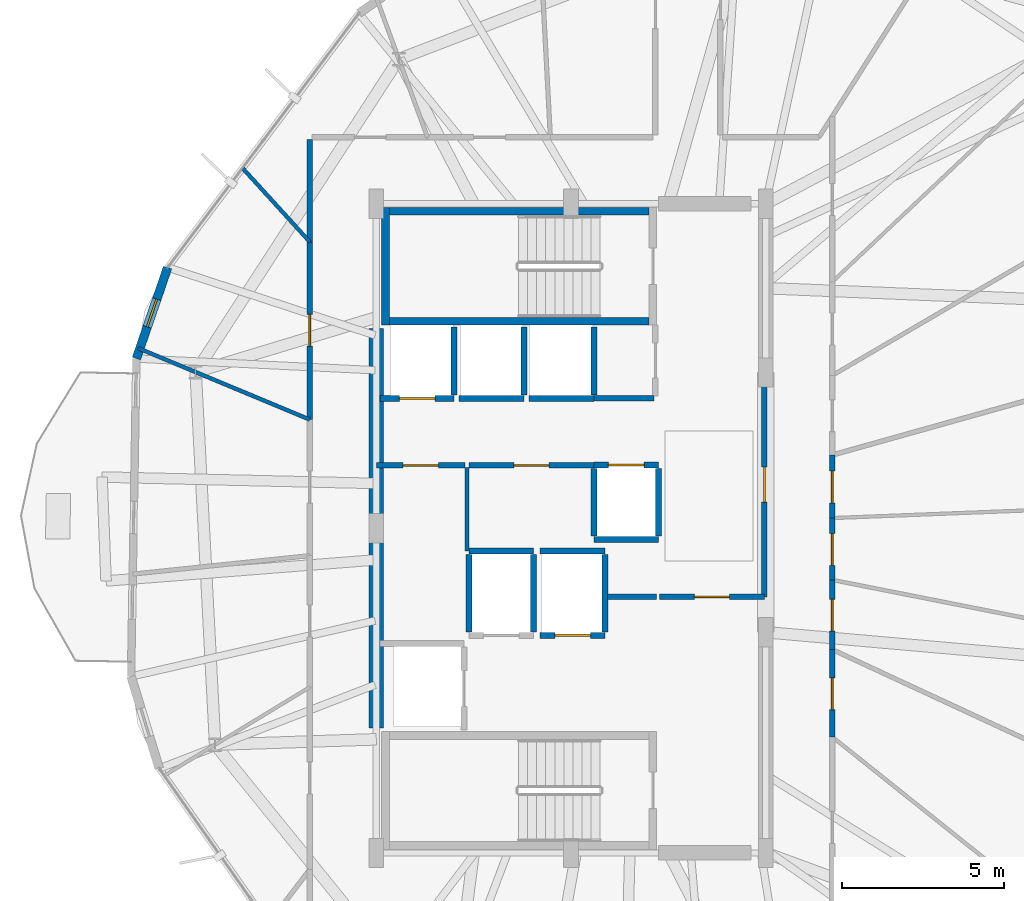
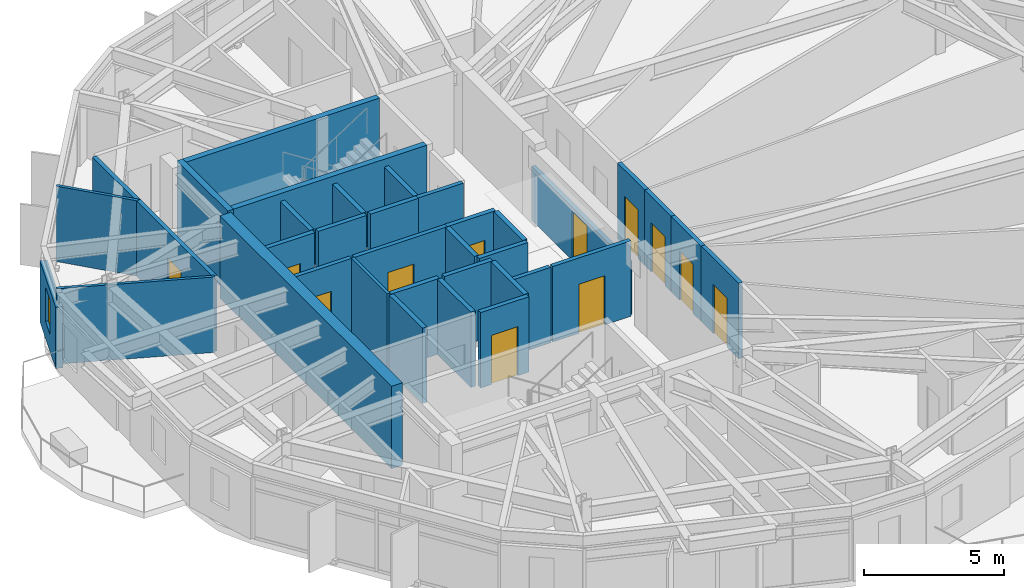
# One storey, part 24 of 29: 36 walls, 12 doors, 1 window, 13 openings.
"""IFC4 building model written with IfcOpenShell, lengths in metres."""

from ifc_helpers import new_model, si_unit, direction, frame, frame_2d, origin, place, context, subcontext, project, spatial, rectangle, extrude, material, layer, layer_set, type_object, element, fill, save


model = new_model("IFC4")

# Units and contexts
model_context = context("Model", 3, precision=1e-05, world=origin(), true_north=direction((0.0, 1.0)))
body_context = subcontext(model_context, "Body", "Model", "MODEL_VIEW")
ifc_project = project(units=[si_unit("LENGTHUNIT", "METRE"), si_unit("AREAUNIT", "SQUARE_METRE"), si_unit("VOLUMEUNIT", "CUBIC_METRE"), si_unit("PLANEANGLEUNIT", "RADIAN"), si_unit("MASSUNIT", "GRAM", prefix="KILO")], contexts=[model_context])

# Site, building, storey
site_placement = place(None, origin())
site = spatial("IfcSite", under=ifc_project, at=site_placement, CompositionType="ELEMENT")
building_placement = place(site_placement, origin())
building = spatial("IfcBuilding", under=site, at=building_placement, Name="Soratama Intermodal Tower", CompositionType="ELEMENT")
storey_placement = place(building_placement, frame((0.0, 0.0, 226.60009765625)))
storey = spatial("IfcBuildingStorey", under=building, at=storey_placement, Name="L57", CompositionType="ELEMENT", Elevation=226.60009765625)

# Wall, opening, window
ifc_material_1 = material(Name="Concrete f'c 42 MPa", Category="concrete")
ifc_layer_1 = layer(ifc_material_1, 0.27001953125)
ifc_layer_set_1 = layer_set([ifc_layer_1], Name="Concrete f'c 42 MPa")
wall_type_1 = type_object("IfcWallType", Name="EW-CRN-270", PredefinedType="SOLIDWALL", material=ifc_layer_set_1)
wall_1_placement = place(storey_placement, frame((26.171630859375, 33.036865234375, 0.0), z_axis=(0.0, 0.0, 1.0), x_axis=(-0.324904964625, -0.945746670077, 0.0)))
wall_1 = element("IfcWall", 1, at=wall_1_placement, inside=storey, type_object=wall_type_1, Name="L57 Corner Closure Wall 03", PredefinedType="SOLIDWALL", context=body_context, shape_type="SweptSolid", body=[
    extrude(rectangle(XDim=2.966552734375, YDim=0.27001953125, at=frame_2d((1.4833984375, 0.0))), origin(), (0.0, 0.0, 1.0), 2.678955078125),
])
opening_1_placement = place(wall_1_placement, frame((1.033203125, 0.0, 0.75)))
opening_1 = element("IfcOpeningElement", 2, at=opening_1_placement, cuts=wall_1, Name="Opening WN-6", PredefinedType="OPENING", context=body_context, shape_type="SweptSolid", body=[
    extrude(rectangle(XDim=0.89990234375, YDim=1.5, at=frame_2d((0.449951171875, 0.75))), frame((0.0, 0.14501953125, 0.0), z_axis=(0.0, -1.0, 0.0), x_axis=(1.0, 0.0, 0.0)), (0.0, 0.0, 1.0), 0.2900390625),
])
ifc_material_2 = material(Name="Double-glazed aluminium window", Category="aluminium")
window_type = type_object("IfcWindowType", Name="WN-FAC-900", PartitioningType="SINGLE_PANEL", PredefinedType="WINDOW", material=ifc_material_2)
window_placement = place(opening_1_placement, origin())
window = element("IfcWindow", 3, at=window_placement, inside=storey, type_object=window_type, Name="L57 Corner Window 03", OverallHeight=1.5, OverallWidth=0.89990234375, PartitioningType="SINGLE_PANEL", PredefinedType="WINDOW", context=body_context, shape_type="SweptSolid", body=[
    extrude(rectangle(XDim=0.89990234375, YDim=1.5, at=frame_2d((0.449951171875, 0.75))), frame((0.0, 0.030029296875, 0.0), z_axis=(0.0, -1.0, 0.0), x_axis=(1.0, 0.0, 0.0)), (0.0, 0.0, 1.0), 0.06005859375),
])
fill(opening_1, window)

# Wall, opening, door
ifc_material_3 = material(Name="Fire-rated gypsum stud partition", Category="concrete")
ifc_layer_2 = layer(ifc_material_3, 0.169921875)
ifc_layer_set_2 = layer_set([ifc_layer_2], Name="Fire-rated gypsum stud partition")
wall_type_2 = type_object("IfcWallType", Name="IW-PART-R170", PredefinedType="PARTITIONING", material=ifc_layer_set_2)
wall_2_placement = place(storey_placement, frame((44.56005859375, 29.800048828125, 0.0), z_axis=(0.0, 0.0, 1.0), x_axis=(0.0, -1.0, 0.0)))
wall_2 = element("IfcWall", 4, at=wall_2_placement, inside=storey, type_object=wall_type_2, Name="L57 Partition W-L57-TP013", PredefinedType="PARTITIONING", context=body_context, shape_type="SweptSolid", body=[
    extrude(rectangle(XDim=6.91015625, YDim=0.169921875, at=frame_2d((3.455078125, 0.0))), origin(), (0.0, 0.0, 1.0), 2.33984375),
])
opening_2_placement = place(wall_2_placement, frame((2.9150390625, 0.0, 0.0)))
opening_2 = element("IfcOpeningElement", 5, at=opening_2_placement, cuts=wall_2, Name="Opening ID-1", PredefinedType="OPENING", context=body_context, shape_type="SweptSolid", body=[
    extrude(rectangle(XDim=1.080078125, YDim=2.14990234375, at=frame_2d((0.5400390625, 1.074951171875))), frame((0.0, 0.094970703125, 0.0), z_axis=(0.0, -1.0, 0.0), x_axis=(1.0, 0.0, 0.0)), (0.0, 0.0, 1.0), 0.18994140625),
])
ifc_material_4 = material(Name="Solid hardwood acoustic door", Category="wood")
door_type_1 = type_object("IfcDoorType", Name="DR-LOB-FD60", OperationType="NOTDEFINED", PredefinedType="DOOR", material=ifc_material_4)
door_1_placement = place(opening_2_placement, origin())
door_1 = element("IfcDoor", 6, at=door_1_placement, inside=storey, type_object=door_type_1, Name="L57 Door D-L57-TP004", OperationType="SINGLE_SWING_LEFT", OverallHeight=2.14990234375, OverallWidth=1.080078125, PredefinedType="DOOR", context=body_context, shape_type="SweptSolid", body=[
    extrude(rectangle(XDim=1.080078125, YDim=2.14990234375, at=frame_2d((0.5400390625, 1.074951171875))), frame((0.0, 0.02490234375, 0.0), z_axis=(0.0, -1.0, 0.0), x_axis=(1.0, 0.0, 0.0)), (0.0, 0.0, 1.0), 0.050048828125),
])
fill(opening_2, door_1)

wall_3_placement = place(storey_placement, frame((30.550048828125, 28.35107421875, 0.0), z_axis=(0.0, 0.0, 1.0), x_axis=(0.0, 1.0, 0.0)))
wall_3 = element("IfcWall", 7, at=wall_3_placement, inside=storey, type_object=wall_type_2, Name="L57 Partition W-L57-TP020", PredefinedType="PARTITIONING", context=body_context, shape_type="SweptSolid", body=[
    extrude(rectangle(XDim=5.475830078125, YDim=0.169921875, at=frame_2d((2.73779296875, 0.0))), origin(), (0.0, 0.0, 1.0), 3.2998046875),
])
opening_3_placement = place(wall_3_placement, frame((2.262939453125, 0.0, 0.0)))
opening_3 = element("IfcOpeningElement", 8, at=opening_3_placement, cuts=wall_3, Name="Opening ID-5", PredefinedType="OPENING", context=body_context, shape_type="SweptSolid", body=[
    extrude(rectangle(XDim=0.97998046875, YDim=2.14990234375, at=frame_2d((0.489990234375, 1.074951171875))), frame((0.0, 0.094970703125, 0.0), z_axis=(0.0, -1.0, 0.0), x_axis=(1.0, 0.0, 0.0)), (0.0, 0.0, 1.0), 0.18994140625),
])
ifc_material_5 = material(Name="Solid hardwood acoustic door", Category="wood")
door_type_2 = type_object("IfcDoorType", Name="DR-OFF-980", OperationType="NOTDEFINED", PredefinedType="DOOR", material=ifc_material_5)
door_2_placement = place(opening_3_placement, origin())
door_2 = element("IfcDoor", 9, at=door_2_placement, inside=storey, type_object=door_type_2, Name="L57 Door D-L57-TP007", OperationType="SINGLE_SWING_RIGHT", OverallHeight=2.14990234375, OverallWidth=0.97998046875, PredefinedType="DOOR", context=body_context, shape_type="SweptSolid", body=[
    extrude(rectangle(XDim=0.97998046875, YDim=2.14990234375, at=frame_2d((0.489990234375, 1.074951171875))), frame((0.0, 0.02490234375, 0.0), z_axis=(0.0, -1.0, 0.0), x_axis=(1.0, 0.0, 0.0)), (0.0, 0.0, 1.0), 0.050048828125),
])
fill(opening_3, door_2)

wall_4_placement = place(storey_placement, frame((39.300048828125, 26.93994140625, 0.0), z_axis=(0.0, 0.0, 1.0), x_axis=(-1.0, 0.0, 0.0)))
wall_4 = element("IfcWall", 10, at=wall_4_placement, inside=storey, type_object=wall_type_2, Name="L57 Partition W-L57-TP028", PredefinedType="PARTITIONING", context=body_context, shape_type="SweptSolid", body=[
    extrude(rectangle(XDim=3.840087890625, YDim=0.169921875, at=frame_2d((1.919921875, 0.0))), origin(), (0.0, 0.0, 1.0), 3.2998046875),
])
opening_4_placement = place(wall_4_placement, frame((1.3798828125, 0.0, 0.0)))
opening_4 = element("IfcOpeningElement", 11, at=opening_4_placement, cuts=wall_4, Name="Opening ID-1", PredefinedType="OPENING", context=body_context, shape_type="SweptSolid", body=[
    extrude(rectangle(XDim=1.080078125, YDim=2.14990234375, at=frame_2d((0.5400390625, 1.074951171875))), frame((0.0, 0.094970703125, 0.0), z_axis=(0.0, -1.0, 0.0), x_axis=(1.0, 0.0, 0.0)), (0.0, 0.0, 1.0), 0.18994140625),
])
door_3_placement = place(opening_4_placement, origin())
door_3 = element("IfcDoor", 12, at=door_3_placement, inside=storey, type_object=door_type_1, Name="L57 Door D-L57-TP012", OperationType="SINGLE_SWING_LEFT", OverallHeight=2.14990234375, OverallWidth=1.080078125, PredefinedType="DOOR", context=body_context, shape_type="SweptSolid", body=[
    extrude(rectangle(XDim=1.080078125, YDim=2.14990234375, at=frame_2d((0.5400390625, 1.074951171875))), frame((0.0, 0.02490234375, 0.0), z_axis=(0.0, -1.0, 0.0), x_axis=(1.0, 0.0, 0.0)), (0.0, 0.0, 1.0), 0.050048828125),
])
fill(opening_4, door_3)

wall_5_placement = place(storey_placement, frame((41.320068359375, 22.889892578125, 0.0), z_axis=(0.0, 0.0, 1.0), x_axis=(1.0, 0.0, 0.0)))
wall_5 = element("IfcWall", 13, at=wall_5_placement, inside=storey, type_object=wall_type_2, Name="L57 Partition W-L57-TP031", PredefinedType="PARTITIONING", context=body_context, shape_type="SweptSolid", body=[
    extrude(rectangle(XDim=3.239990234375, YDim=0.169921875, at=frame_2d((1.6201171875, 0.0))), origin(), (0.0, 0.0, 1.0), 3.2998046875),
])
opening_5_placement = place(wall_5_placement, frame((1.080078125, 0.0, 0.0)))
opening_5 = element("IfcOpeningElement", 14, at=opening_5_placement, cuts=wall_5, Name="Opening ID-0", PredefinedType="OPENING", context=body_context, shape_type="SweptSolid", body=[
    extrude(rectangle(XDim=1.080078125, YDim=2.14990234375, at=frame_2d((0.5400390625, 1.074951171875))), frame((0.0, 0.094970703125, 0.0), z_axis=(0.0, -1.0, 0.0), x_axis=(1.0, 0.0, 0.0)), (0.0, 0.0, 1.0), 0.18994140625),
])
ifc_material_6 = material(Name="Solid hardwood acoustic door", Category="wood")
door_type_3 = type_object("IfcDoorType", Name="DR-LOB-FD90", OperationType="NOTDEFINED", PredefinedType="DOOR", material=ifc_material_6)
door_4_placement = place(opening_5_placement, origin())
door_4 = element("IfcDoor", 15, at=door_4_placement, inside=storey, type_object=door_type_3, Name="L57 Door D-L57-TP015", OperationType="SINGLE_SWING_RIGHT", OverallHeight=2.14990234375, OverallWidth=1.080078125, PredefinedType="DOOR", context=body_context, shape_type="SweptSolid", body=[
    extrude(rectangle(XDim=1.080078125, YDim=2.14990234375, at=frame_2d((0.5400390625, 1.074951171875))), frame((0.0, 0.02490234375, 0.0), z_axis=(0.0, -1.0, 0.0), x_axis=(1.0, 0.0, 0.0)), (0.0, 0.0, 1.0), 0.050048828125),
])
fill(opening_5, door_4)

# Wall
wall_6_placement = place(storey_placement, frame((30.550048828125, 33.826904296875, 0.0), z_axis=(0.0, 0.0, 1.0), x_axis=(0.0, 1.0, 0.0)))
element("IfcWall", 16, at=wall_6_placement, inside=storey, type_object=wall_type_2, Name="L57 Partition W-L57-TP034", PredefinedType="PARTITIONING", context=body_context, shape_type="SweptSolid", body=[
    extrude(rectangle(XDim=3.153076171875, YDim=0.169921875, at=frame_2d((1.57666015625, 0.0))), origin(), (0.0, 0.0, 1.0), 3.2998046875),
])

# Wall, opening, door
wall_7_placement = place(storey_placement, frame((35.340087890625, 26.93994140625, 0.0), z_axis=(0.0, 0.0, 1.0), x_axis=(-1.0, 0.0, 0.0)))
wall_7 = element("IfcWall", 17, at=wall_7_placement, inside=storey, type_object=wall_type_2, Name="L57 Partition W-L57-TP038", PredefinedType="PARTITIONING", context=body_context, shape_type="SweptSolid", body=[
    extrude(rectangle(XDim=2.739990234375, YDim=0.169921875, at=frame_2d((1.3701171875, 0.0))), origin(), (0.0, 0.0, 1.0), 3.2998046875),
])
opening_6_placement = place(wall_7_placement, frame((0.830078125, 0.0, 0.0)))
opening_6 = element("IfcOpeningElement", 18, at=opening_6_placement, cuts=wall_7, Name="Opening ID-1", PredefinedType="OPENING", context=body_context, shape_type="SweptSolid", body=[
    extrude(rectangle(XDim=1.080078125, YDim=2.14990234375, at=frame_2d((0.5400390625, 1.074951171875))), frame((0.0, 0.094970703125, 0.0), z_axis=(0.0, -1.0, 0.0), x_axis=(1.0, 0.0, 0.0)), (0.0, 0.0, 1.0), 0.18994140625),
])
door_5_placement = place(opening_6_placement, origin())
door_5 = element("IfcDoor", 19, at=door_5_placement, inside=storey, type_object=door_type_1, Name="L57 Door D-L57-TP017", OperationType="SINGLE_SWING_RIGHT", OverallHeight=2.14990234375, OverallWidth=1.080078125, PredefinedType="DOOR", context=body_context, shape_type="SweptSolid", body=[
    extrude(rectangle(XDim=1.080078125, YDim=2.14990234375, at=frame_2d((0.5400390625, 1.074951171875))), frame((0.0, 0.02490234375, 0.0), z_axis=(0.0, -1.0, 0.0), x_axis=(1.0, 0.0, 0.0)), (0.0, 0.0, 1.0), 0.050048828125),
])
fill(opening_6, door_5)

wall_8_placement = place(storey_placement, frame((46.64990234375, 21.264892578125, 0.0), z_axis=(0.0, 0.0, 1.0), x_axis=(0.0, -1.0, 0.0)))
wall_8 = element("IfcWall", 20, at=wall_8_placement, inside=storey, type_object=wall_type_2, Name="L57 Partition W-L57-TP039", PredefinedType="PARTITIONING", context=body_context, shape_type="SweptSolid", body=[
    extrude(rectangle(XDim=2.69189453125, YDim=0.169921875, at=frame_2d((1.345947265625, 0.0))), origin(), (0.0, 0.0, 1.0), 3.2998046875),
])
opening_7_placement = place(wall_8_placement, frame((0.87109375, 0.0, 0.0)))
opening_7 = element("IfcOpeningElement", 21, at=opening_7_placement, cuts=wall_8, Name="Opening ID-5", PredefinedType="OPENING", context=body_context, shape_type="SweptSolid", body=[
    extrude(rectangle(XDim=0.97998046875, YDim=2.14990234375, at=frame_2d((0.489990234375, 1.074951171875))), frame((0.0, 0.094970703125, 0.0), z_axis=(0.0, -1.0, 0.0), x_axis=(1.0, 0.0, 0.0)), (0.0, 0.0, 1.0), 0.18994140625),
])
door_6_placement = place(opening_7_placement, origin())
door_6 = element("IfcDoor", 22, at=door_6_placement, inside=storey, type_object=door_type_2, Name="L57 Door D-L57-TP018", OperationType="SINGLE_SWING_LEFT", OverallHeight=2.14990234375, OverallWidth=0.97998046875, PredefinedType="DOOR", context=body_context, shape_type="SweptSolid", body=[
    extrude(rectangle(XDim=0.97998046875, YDim=2.14990234375, at=frame_2d((0.489990234375, 1.074951171875))), frame((0.0, 0.02490234375, 0.0), z_axis=(0.0, -1.0, 0.0), x_axis=(1.0, 0.0, 0.0)), (0.0, 0.0, 1.0), 0.050048828125),
])
fill(opening_7, door_6)

wall_9_placement = place(storey_placement, frame((46.64990234375, 23.409912109375, 0.0), z_axis=(0.0, 0.0, 1.0), x_axis=(0.0, -1.0, 0.0)))
wall_9 = element("IfcWall", 23, at=wall_9_placement, inside=storey, type_object=wall_type_2, Name="L57 Partition W-L57-TP047", PredefinedType="PARTITIONING", context=body_context, shape_type="SweptSolid", body=[
    extrude(rectangle(XDim=2.14501953125, YDim=0.169921875, at=frame_2d((1.072509765625, 0.0))), origin(), (0.0, 0.0, 1.0), 3.2998046875),
])
opening_8_placement = place(wall_9_placement, frame((0.596923828125, 0.0, 0.0)))
opening_8 = element("IfcOpeningElement", 24, at=opening_8_placement, cuts=wall_9, Name="Opening ID-5", PredefinedType="OPENING", context=body_context, shape_type="SweptSolid", body=[
    extrude(rectangle(XDim=0.97998046875, YDim=2.14990234375, at=frame_2d((0.489990234375, 1.074951171875))), frame((0.0, 0.094970703125, 0.0), z_axis=(0.0, -1.0, 0.0), x_axis=(1.0, 0.0, 0.0)), (0.0, 0.0, 1.0), 0.18994140625),
])
door_7_placement = place(opening_8_placement, origin())
door_7 = element("IfcDoor", 25, at=door_7_placement, inside=storey, type_object=door_type_2, Name="L57 Door D-L57-TP022", OperationType="SINGLE_SWING_LEFT", OverallHeight=2.14990234375, OverallWidth=0.97998046875, PredefinedType="DOOR", context=body_context, shape_type="SweptSolid", body=[
    extrude(rectangle(XDim=0.97998046875, YDim=2.14990234375, at=frame_2d((0.489990234375, 1.074951171875))), frame((0.0, 0.02490234375, 0.0), z_axis=(0.0, -1.0, 0.0), x_axis=(1.0, 0.0, 0.0)), (0.0, 0.0, 1.0), 0.050048828125),
])
fill(opening_8, door_7)

wall_10_placement = place(storey_placement, frame((46.64990234375, 27.258056640625, 0.0), z_axis=(0.0, 0.0, 1.0), x_axis=(0.0, -1.0, 0.0)))
wall_10 = element("IfcWall", 26, at=wall_10_placement, inside=storey, type_object=wall_type_2, Name="L57 Partition W-L57-TP049", PredefinedType="PARTITIONING", context=body_context, shape_type="SweptSolid", body=[
    extrude(rectangle(XDim=1.942138671875, YDim=0.169921875, at=frame_2d((0.97119140625, 0.0))), origin(), (0.0, 0.0, 1.0), 3.2998046875),
])
opening_9_placement = place(wall_10_placement, frame((0.49609375, 0.0, 0.0)))
opening_9 = element("IfcOpeningElement", 27, at=opening_9_placement, cuts=wall_10, Name="Opening ID-5", PredefinedType="OPENING", context=body_context, shape_type="SweptSolid", body=[
    extrude(rectangle(XDim=0.97998046875, YDim=2.14990234375, at=frame_2d((0.489990234375, 1.074951171875))), frame((0.0, 0.094970703125, 0.0), z_axis=(0.0, -1.0, 0.0), x_axis=(1.0, 0.0, 0.0)), (0.0, 0.0, 1.0), 0.18994140625),
])
door_8_placement = place(opening_9_placement, origin())
door_8 = element("IfcDoor", 28, at=door_8_placement, inside=storey, type_object=door_type_2, Name="L57 Door D-L57-TP023", OperationType="SINGLE_SWING_RIGHT", OverallHeight=2.14990234375, OverallWidth=0.97998046875, PredefinedType="DOOR", context=body_context, shape_type="SweptSolid", body=[
    extrude(rectangle(XDim=0.97998046875, YDim=2.14990234375, at=frame_2d((0.489990234375, 1.074951171875))), frame((0.0, 0.02490234375, 0.0), z_axis=(0.0, -1.0, 0.0), x_axis=(1.0, 0.0, 0.0)), (0.0, 0.0, 1.0), 0.050048828125),
])
fill(opening_9, door_8)

wall_11_placement = place(storey_placement, frame((46.64990234375, 25.31591796875, 0.0), z_axis=(0.0, 0.0, 1.0), x_axis=(0.0, -1.0, 0.0)))
wall_11 = element("IfcWall", 29, at=wall_11_placement, inside=storey, type_object=wall_type_2, Name="L57 Partition W-L57-TP050", PredefinedType="PARTITIONING", context=body_context, shape_type="SweptSolid", body=[
    extrude(rectangle(XDim=1.906005859375, YDim=0.169921875, at=frame_2d((0.953125, 0.0))), origin(), (0.0, 0.0, 1.0), 3.2998046875),
])
opening_10_placement = place(wall_11_placement, frame((0.47802734375, 0.0, 0.0)))
opening_10 = element("IfcOpeningElement", 30, at=opening_10_placement, cuts=wall_11, Name="Opening ID-5", PredefinedType="OPENING", context=body_context, shape_type="SweptSolid", body=[
    extrude(rectangle(XDim=0.97998046875, YDim=2.14990234375, at=frame_2d((0.489990234375, 1.074951171875))), frame((0.0, 0.094970703125, 0.0), z_axis=(0.0, -1.0, 0.0), x_axis=(1.0, 0.0, 0.0)), (0.0, 0.0, 1.0), 0.18994140625),
])
door_9_placement = place(opening_10_placement, origin())
door_9 = element("IfcDoor", 31, at=door_9_placement, inside=storey, type_object=door_type_2, Name="L57 Door D-L57-TP024", OperationType="SINGLE_SWING_LEFT", OverallHeight=2.14990234375, OverallWidth=0.97998046875, PredefinedType="DOOR", context=body_context, shape_type="SweptSolid", body=[
    extrude(rectangle(XDim=0.97998046875, YDim=2.14990234375, at=frame_2d((0.489990234375, 1.074951171875))), frame((0.0, 0.02490234375, 0.0), z_axis=(0.0, -1.0, 0.0), x_axis=(1.0, 0.0, 0.0)), (0.0, 0.0, 1.0), 0.050048828125),
])
fill(opening_10, door_9)

# Walls
wall_12_placement = place(storey_placement, frame((39.300048828125, 29.010009765625, 0.0), z_axis=(0.0, 0.0, 1.0), x_axis=(1.0, 0.0, 0.0)))
element("IfcWall", 32, at=wall_12_placement, inside=storey, type_object=wall_type_2, Name="L57 Partition W-L57-TP051", PredefinedType="PARTITIONING", context=body_context, shape_type="SweptSolid", body=[
    extrude(rectangle(XDim=1.85986328125, YDim=0.169921875, at=frame_2d((0.929931640625, 0.0))), origin(), (0.0, 0.0, 1.0), 3.2998046875),
])
wall_13_placement = place(storey_placement, frame((39.719970703125, 22.889892578125, 0.0), z_axis=(0.0, 0.0, 1.0), x_axis=(1.0, 0.0, 0.0)))
element("IfcWall", 33, at=wall_13_placement, inside=storey, type_object=wall_type_2, Name="L57 Partition W-L57-TP052", PredefinedType="PARTITIONING", context=body_context, shape_type="SweptSolid", body=[
    extrude(rectangle(XDim=1.52001953125, YDim=0.169921875, at=frame_2d((0.760009765625, 0.0))), origin(), (0.0, 0.0, 1.0), 3.2998046875),
])
ifc_material_7 = material(Name="Fire-rated gypsum stud partition", Category="concrete")
ifc_layer_3 = layer(ifc_material_7, 0.1201171875)
ifc_layer_set_3 = layer_set([ifc_layer_3], Name="Fire-rated gypsum stud partition")
wall_type_3 = type_object("IfcWallType", Name="IW-PART-S120", PredefinedType="PARTITIONING", material=ifc_layer_set_3)
wall_14_placement = place(storey_placement, frame((30.550048828125, 28.35107421875, 0.0), z_axis=(0.0, 0.0, 1.0), x_axis=(-0.923298813855, 0.384082413467, 0.0)))
element("IfcWall", 34, at=wall_14_placement, inside=storey, type_object=wall_type_3, Name="L57 Partition W-L57-TP015", PredefinedType="PARTITIONING", context=body_context, shape_type="SweptSolid", body=[
    extrude(rectangle(XDim=5.725341796875, YDim=0.1201171875, at=frame_2d((2.86279296875, 0.0))), origin(), (0.0, 0.0, 1.0), 3.2998046875),
])
wall_15_placement = place(storey_placement, frame((30.550048828125, 33.826904296875, 0.0), z_axis=(0.0, 0.0, 1.0), x_axis=(-0.673663383487, 0.739038324953, 0.0)))
element("IfcWall", 35, at=wall_15_placement, inside=storey, type_object=wall_type_3, Name="L57 Partition W-L57-TP035", PredefinedType="PARTITIONING", context=body_context, shape_type="SweptSolid", body=[
    extrude(rectangle(XDim=3.0771484375, YDim=0.1201171875, at=frame_2d((1.53857421875, 0.0))), origin(), (0.0, 0.0, 1.0), 3.2998046875),
])
wall_16_placement = place(storey_placement, frame((35.39990234375, 26.8798828125, 0.0), z_axis=(0.0, 0.0, 1.0), x_axis=(0.0, -1.0, 0.0)))
element("IfcWall", 36, at=wall_16_placement, inside=storey, type_object=wall_type_3, Name="L57 Partition W-L57-TP040", PredefinedType="PARTITIONING", context=body_context, shape_type="SweptSolid", body=[
    extrude(rectangle(XDim=2.579833984375, YDim=0.1201171875, at=frame_2d((1.2900390625, 0.0))), origin(), (0.0, 0.0, 1.0), 3.2998046875),
])
ifc_material_8 = material(Name="Concrete f'c 42 MPa", Category="concrete")
ifc_layer_4 = layer(ifc_material_8, 0.18505859375)
ifc_layer_set_4 = layer_set([ifc_layer_4], Name="Concrete f'c 42 MPa")
wall_type_4 = type_object("IfcWallType", Name="IW-SHAFT-185", PredefinedType="SOLIDWALL", material=ifc_layer_set_4)
wall_17_placement = place(storey_placement, frame((35.449951171875, 24.300048828125, 0.0), z_axis=(0.0, 0.0, 1.0), x_axis=(1.0, 0.0, 0.0)))
element("IfcWall", 37, at=wall_17_placement, inside=storey, type_object=wall_type_4, Name="L57 FFL-1 Hoistway Wall N", PredefinedType="SOLIDWALL", context=body_context, shape_type="SweptSolid", body=[
    extrude(rectangle(XDim=2.0, YDim=0.18505859375, at=frame_2d((1.0, 0.0))), origin(), (0.0, 0.0, 1.0), 3.2998046875),
])
for number, where, z_axis, x_axis, name in (
    (38, (35.449951171875, 21.81005859375, 0.0), (0.0, 0.0, 1.0), (0.0, 1.0, 0.0), "L57 FFL-1 Hoistway Wall W"),
    (39, (37.449951171875, 21.81005859375, 0.0), (0.0, 0.0, 1.0), (0.0, 1.0, 0.0), "L57 FFL-1 Hoistway Wall E"),
):
    element("IfcWall", number, at=place(storey_placement, frame(where, z_axis=z_axis, x_axis=x_axis)), inside=storey, type_object=wall_type_4, Name=name, PredefinedType="SOLIDWALL", context=body_context, shape_type="SweptSolid", body=[
        extrude(rectangle(XDim=2.3798828125, YDim=0.18505859375, at=frame_2d((1.18994140625, 0.0))), origin(), (0.0, 0.0, 1.0), 3.2998046875),
    ])

# Wall, opening, door
wall_18_placement = place(storey_placement, frame((37.64990234375, 21.699951171875, 0.0), z_axis=(0.0, 0.0, 1.0), x_axis=(1.0, 0.0, 0.0)))
wall_18 = element("IfcWall", 40, at=wall_18_placement, inside=storey, type_object=wall_type_4, Name="L57 FFL-2 Hoistway Wall S", PredefinedType="SOLIDWALL", context=body_context, shape_type="SweptSolid", body=[
    extrude(rectangle(XDim=2.0, YDim=0.18505859375, at=frame_2d((1.0, 0.0))), origin(), (0.0, 0.0, 1.0), 3.2998046875),
])
opening_11_placement = place(wall_18_placement, frame((0.449951171875, 0.0, 0.0)))
opening_11 = element("IfcOpeningElement", 41, at=opening_11_placement, cuts=wall_18, Name="Opening LD-1", PredefinedType="OPENING", context=body_context, shape_type="SweptSolid", body=[
    extrude(rectangle(XDim=1.10009765625, YDim=2.14990234375, at=frame_2d((0.550048828125, 1.074951171875))), frame((0.0, 0.1025390625, 0.0), z_axis=(0.0, -1.0, 0.0), x_axis=(1.0, 0.0, 0.0)), (0.0, 0.0, 1.0), 0.205078125),
])
ifc_material_9 = material(Name="Steel fire door", Category="steel")
door_type_4 = type_object("IfcDoorType", Name="DR-LIFT-SLIDE", OperationType="NOTDEFINED", PredefinedType="DOOR", material=ifc_material_9)
door_10_placement = place(opening_11_placement, origin())
door_10 = element("IfcDoor", 42, at=door_10_placement, inside=storey, type_object=door_type_4, Name="L57 FFL-2 Sliding Landing Door", OperationType="SLIDING_TO_LEFT", OverallHeight=2.14990234375, OverallWidth=1.10009765625, PredefinedType="DOOR", context=body_context, shape_type="SweptSolid", body=[
    extrude(rectangle(XDim=1.10009765625, YDim=2.14990234375, at=frame_2d((0.550048828125, 1.074951171875))), frame((0.0, 0.02490234375, 0.0), z_axis=(0.0, -1.0, 0.0), x_axis=(1.0, 0.0, 0.0)), (0.0, 0.0, 1.0), 0.050048828125),
])
fill(opening_11, door_10)

# Walls
wall_19_placement = place(storey_placement, frame((37.64990234375, 24.300048828125, 0.0), z_axis=(0.0, 0.0, 1.0), x_axis=(1.0, 0.0, 0.0)))
element("IfcWall", 43, at=wall_19_placement, inside=storey, type_object=wall_type_4, Name="L57 FFL-2 Hoistway Wall N", PredefinedType="SOLIDWALL", context=body_context, shape_type="SweptSolid", body=[
    extrude(rectangle(XDim=2.0, YDim=0.18505859375, at=frame_2d((1.0, 0.0))), origin(), (0.0, 0.0, 1.0), 3.2998046875),
])
wall_20_placement = place(storey_placement, frame((39.64990234375, 21.81005859375, 0.0), z_axis=(0.0, 0.0, 1.0), x_axis=(0.0, 1.0, 0.0)))
element("IfcWall", 44, at=wall_20_placement, inside=storey, type_object=wall_type_4, Name="L57 FFL-2 Hoistway Wall E", PredefinedType="SOLIDWALL", context=body_context, shape_type="SweptSolid", body=[
    extrude(rectangle(XDim=2.3798828125, YDim=0.18505859375, at=frame_2d((1.18994140625, 0.0))), origin(), (0.0, 0.0, 1.0), 3.2998046875),
])
wall_21_placement = place(storey_placement, frame((39.300048828125, 24.64990234375, 0.0), z_axis=(0.0, 0.0, 1.0), x_axis=(1.0, 0.0, 0.0)))
element("IfcWall", 45, at=wall_21_placement, inside=storey, type_object=wall_type_4, Name="L57 PL-M1 Hoistway Wall S", PredefinedType="SOLIDWALL", context=body_context, shape_type="SweptSolid", body=[
    extrude(rectangle(XDim=2.0, YDim=0.18505859375, at=frame_2d((1.0, 0.0))), origin(), (0.0, 0.0, 1.0), 3.2998046875),
])

# Wall, opening, door
wall_22_placement = place(storey_placement, frame((39.300048828125, 26.949951171875, 0.0), z_axis=(0.0, 0.0, 1.0), x_axis=(1.0, 0.0, 0.0)))
wall_22 = element("IfcWall", 46, at=wall_22_placement, inside=storey, type_object=wall_type_4, Name="L57 PL-M1 Hoistway Wall N", PredefinedType="SOLIDWALL", context=body_context, shape_type="SweptSolid", body=[
    extrude(rectangle(XDim=2.0, YDim=0.18505859375, at=frame_2d((1.0, 0.0))), origin(), (0.0, 0.0, 1.0), 3.2998046875),
])
opening_12_placement = place(wall_22_placement, frame((0.449951171875, 0.0, 0.0)))
opening_12 = element("IfcOpeningElement", 47, at=opening_12_placement, cuts=wall_22, Name="Opening LD-1", PredefinedType="OPENING", context=body_context, shape_type="SweptSolid", body=[
    extrude(rectangle(XDim=1.10009765625, YDim=2.14990234375, at=frame_2d((0.550048828125, 1.074951171875))), frame((0.0, 0.1025390625, 0.0), z_axis=(0.0, -1.0, 0.0), x_axis=(1.0, 0.0, 0.0)), (0.0, 0.0, 1.0), 0.205078125),
])
door_11_placement = place(opening_12_placement, origin())
door_11 = element("IfcDoor", 48, at=door_11_placement, inside=storey, type_object=door_type_4, Name="L57 PL-M1 Sliding Landing Door", OperationType="SLIDING_TO_LEFT", OverallHeight=2.14990234375, OverallWidth=1.10009765625, PredefinedType="DOOR", context=body_context, shape_type="SweptSolid", body=[
    extrude(rectangle(XDim=1.10009765625, YDim=2.14990234375, at=frame_2d((0.550048828125, 1.074951171875))), frame((0.0, 0.02490234375, 0.0), z_axis=(0.0, -1.0, 0.0), x_axis=(1.0, 0.0, 0.0)), (0.0, 0.0, 1.0), 0.050048828125),
])
fill(opening_12, door_11)

# Walls
for number, where, z_axis, x_axis, name in (
    (49, (39.300048828125, 24.760009765625, 0.0), (0.0, 0.0, 1.0), (0.0, 1.0, 0.0), "L57 PL-M1 Hoistway Wall W"),
    (50, (41.300048828125, 24.760009765625, 0.0), (0.0, 0.0, 1.0), (0.0, 1.0, 0.0), "L57 PL-M1 Hoistway Wall E"),
):
    element("IfcWall", number, at=place(storey_placement, frame(where, z_axis=z_axis, x_axis=x_axis)), inside=storey, type_object=wall_type_4, Name=name, PredefinedType="SOLIDWALL", context=body_context, shape_type="SweptSolid", body=[
        extrude(rectangle(XDim=2.080078125, YDim=0.18505859375, at=frame_2d((1.0400390625, 0.0))), origin(), (0.0, 0.0, 1.0), 3.2998046875),
    ])

# Wall, opening, door
wall_23_placement = place(storey_placement, frame((32.719970703125, 29.0, 0.0), z_axis=(0.0, 0.0, 1.0), x_axis=(1.0, 0.0, 0.0)))
wall_23 = element("IfcWall", 51, at=wall_23_placement, inside=storey, type_object=wall_type_4, Name="L57 PL-M2 Hoistway Wall S", PredefinedType="SOLIDWALL", context=body_context, shape_type="SweptSolid", body=[
    extrude(rectangle(XDim=2.280029296875, YDim=0.18505859375, at=frame_2d((1.14013671875, 0.0))), origin(), (0.0, 0.0, 1.0), 3.2998046875),
])
opening_13_placement = place(wall_23_placement, frame((0.590087890625, 0.0, 0.0)))
opening_13 = element("IfcOpeningElement", 52, at=opening_13_placement, cuts=wall_23, Name="Opening LD-1", PredefinedType="OPENING", context=body_context, shape_type="SweptSolid", body=[
    extrude(rectangle(XDim=1.10009765625, YDim=2.14990234375, at=frame_2d((0.550048828125, 1.074951171875))), frame((0.0, 0.1025390625, 0.0), z_axis=(0.0, -1.0, 0.0), x_axis=(1.0, 0.0, 0.0)), (0.0, 0.0, 1.0), 0.205078125),
])
door_12_placement = place(opening_13_placement, origin())
door_12 = element("IfcDoor", 53, at=door_12_placement, inside=storey, type_object=door_type_4, Name="L57 PL-M2 Sliding Landing Door", OperationType="SLIDING_TO_LEFT", OverallHeight=2.14990234375, OverallWidth=1.10009765625, PredefinedType="DOOR", context=body_context, shape_type="SweptSolid", body=[
    extrude(rectangle(XDim=1.10009765625, YDim=2.14990234375, at=frame_2d((0.550048828125, 1.074951171875))), frame((0.0, 0.02490234375, 0.0), z_axis=(0.0, -1.0, 0.0), x_axis=(1.0, 0.0, 0.0)), (0.0, 0.0, 1.0), 0.050048828125),
])
fill(opening_13, door_12)

# Walls
wall_24_placement = place(storey_placement, frame((35.0, 29.110107421875, 0.0), z_axis=(0.0, 0.0, 1.0), x_axis=(0.0, 1.0, 0.0)))
element("IfcWall", 54, at=wall_24_placement, inside=storey, type_object=wall_type_4, Name="L57 PL-M2 Hoistway Wall E", PredefinedType="SOLIDWALL", context=body_context, shape_type="SweptSolid", body=[
    extrude(rectangle(XDim=2.099853515625, YDim=0.18505859375, at=frame_2d((1.0498046875, 0.0))), origin(), (0.0, 0.0, 1.0), 3.2998046875),
])
wall_25_placement = place(storey_placement, frame((35.14990234375, 29.0, 0.0), z_axis=(0.0, 0.0, 1.0), x_axis=(1.0, 0.0, 0.0)))
element("IfcWall", 55, at=wall_25_placement, inside=storey, type_object=wall_type_4, Name="L57 PL-H1 Hoistway Wall S", PredefinedType="SOLIDWALL", context=body_context, shape_type="SweptSolid", body=[
    extrude(rectangle(XDim=2.0, YDim=0.18505859375, at=frame_2d((1.0, 0.0))), origin(), (0.0, 0.0, 1.0), 3.2998046875),
])
wall_26_placement = place(storey_placement, frame((37.14990234375, 29.110107421875, 0.0), z_axis=(0.0, 0.0, 1.0), x_axis=(0.0, 1.0, 0.0)))
element("IfcWall", 56, at=wall_26_placement, inside=storey, type_object=wall_type_4, Name="L57 PL-H1 Hoistway Wall E", PredefinedType="SOLIDWALL", context=body_context, shape_type="SweptSolid", body=[
    extrude(rectangle(XDim=2.099853515625, YDim=0.18505859375, at=frame_2d((1.0498046875, 0.0))), origin(), (0.0, 0.0, 1.0), 3.2998046875),
])
wall_27_placement = place(storey_placement, frame((37.300048828125, 29.0, 0.0), z_axis=(0.0, 0.0, 1.0), x_axis=(1.0, 0.0, 0.0)))
element("IfcWall", 57, at=wall_27_placement, inside=storey, type_object=wall_type_4, Name="L57 PL-H2 Hoistway Wall S", PredefinedType="SOLIDWALL", context=body_context, shape_type="SweptSolid", body=[
    extrude(rectangle(XDim=2.0, YDim=0.18505859375, at=frame_2d((1.0, 0.0))), origin(), (0.0, 0.0, 1.0), 3.2998046875),
])
wall_28_placement = place(storey_placement, frame((39.300048828125, 29.110107421875, 0.0), z_axis=(0.0, 0.0, 1.0), x_axis=(0.0, 1.0, 0.0)))
element("IfcWall", 58, at=wall_28_placement, inside=storey, type_object=wall_type_4, Name="L57 PL-H2 Hoistway Wall E", PredefinedType="SOLIDWALL", context=body_context, shape_type="SweptSolid", body=[
    extrude(rectangle(XDim=2.099853515625, YDim=0.18505859375, at=frame_2d((1.0498046875, 0.0))), origin(), (0.0, 0.0, 1.0), 3.2998046875),
])
ifc_material_10 = material(Name="Concrete f'c 56 MPa", Category="concrete")
ifc_layer_5 = layer(ifc_material_10, 0.449951171875)
ifc_layer_set_5 = layer_set([ifc_layer_5], Name="Concrete f'c 56 MPa")
wall_type_5 = type_object("IfcWallType", Name="SW-CORE-450", PredefinedType="SHEAR", material=ifc_layer_set_5)
wall_29_placement = place(storey_placement, frame((32.60009765625, 18.85009765625, 0.0), z_axis=(0.0, 0.0, 1.0), x_axis=(0.0, 1.0, 0.0)))
element("IfcWall", 59, at=wall_29_placement, inside=storey, type_object=wall_type_5, Name="L57 Core Shear Wall CW-WMID", PredefinedType="SHEAR", context=body_context, shape_type="SweptSolid", body=[
    extrude(rectangle(XDim=12.2998046875, YDim=0.449951171875, at=frame_2d((6.14990234375, 0.0))), origin(), (0.0, 0.0, 1.0), 3.599853515625),
])
ifc_material_11 = material(Name="Concrete f'c 56 MPa", Category="concrete")
ifc_layer_6 = layer(ifc_material_11, 0.239990234375)
ifc_layer_set_6 = layer_set([ifc_layer_6], Name="Concrete f'c 56 MPa")
wall_type_6 = type_object("IfcWallType", Name="SW-STAIR-240", PredefinedType="SHEAR", material=ifc_layer_set_6)
wall_30_placement = place(storey_placement, frame((32.8798828125, 31.260009765625, 0.0), z_axis=(0.0, 0.0, 1.0), x_axis=(0.0, 1.0, 0.0)))
element("IfcWall", 60, at=wall_30_placement, inside=storey, type_object=wall_type_6, Name="L57 ST-2 Shaft Shear Wall W", PredefinedType="SHEAR", context=body_context, shape_type="SweptSolid", body=[
    extrude(rectangle(XDim=3.6298828125, YDim=0.239990234375, at=frame_2d((1.81494140625, 0.0))), origin(), (0.0, 0.0, 1.0), 3.599853515625),
])
for number, where, z_axis, x_axis, name in (
    (61, (33.0, 31.3798828125, 0.0), (0.0, 0.0, 1.0), (1.0, 0.0, 0.0), "L57 ST-2 Shaft Shear Wall S"),
    (62, (33.0, 34.77001953125, 0.0), (0.0, 0.0, 1.0), (1.0, 0.0, 0.0), "L57 ST-2 Shaft Shear Wall N"),
):
    element("IfcWall", number, at=place(storey_placement, frame(where, z_axis=z_axis, x_axis=x_axis)), inside=storey, type_object=wall_type_6, Name=name, PredefinedType="SHEAR", context=body_context, shape_type="SweptSolid", body=[
        extrude(rectangle(XDim=8.0, YDim=0.239990234375, at=frame_2d((4.0, 0.0))), origin(), (0.0, 0.0, 1.0), 3.599853515625),
    ])

save(model, "model.ifc")
